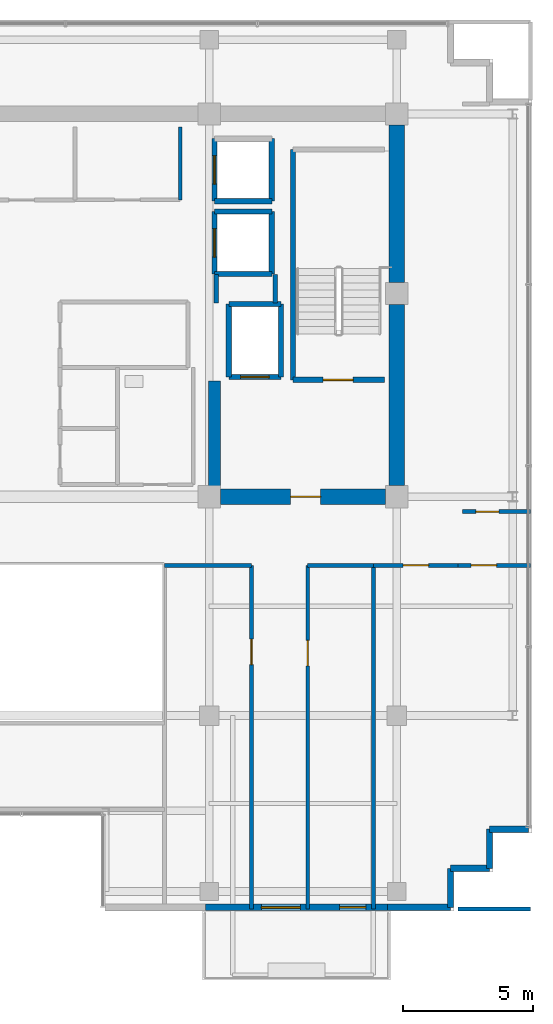
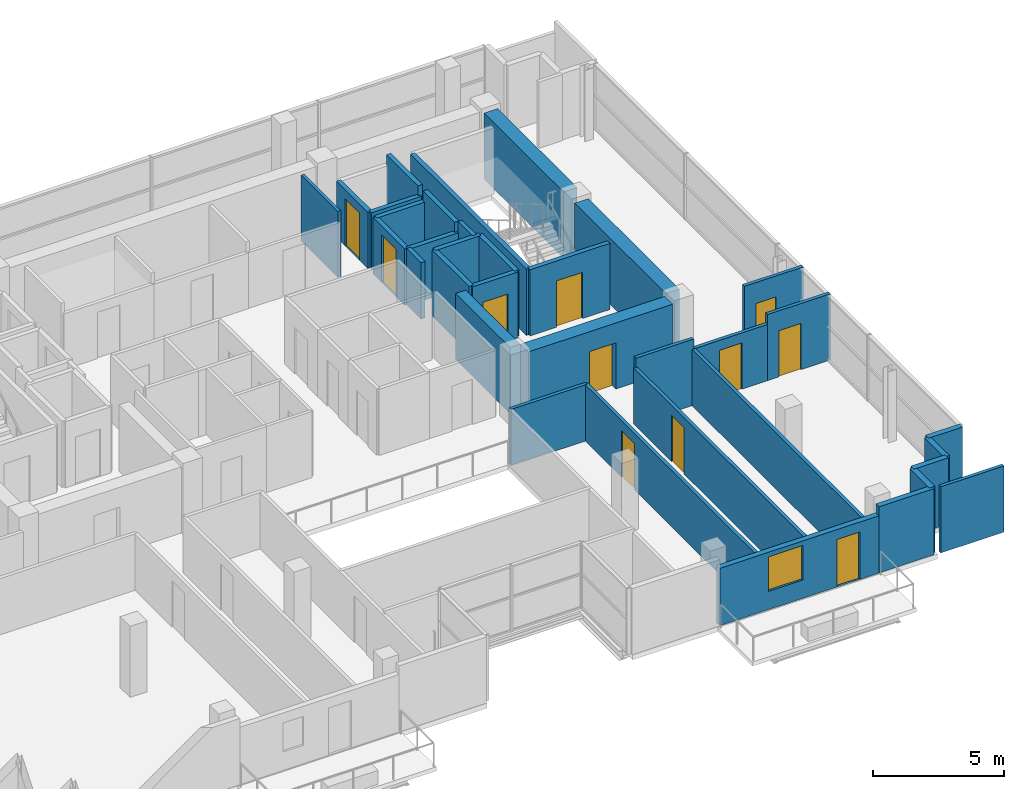
# One storey, part 17 of 22: 35 walls, 11 doors, 1 window, 12 openings.
"""IFC4 building model written with IfcOpenShell, lengths in metres."""

from ifc_helpers import new_model, si_unit, direction, frame, frame_2d, origin, place, context, subcontext, project, spatial, rectangle, extrude, source, transform, mapped, material, layer, layer_set, type_object, element, fill, save


model = new_model("IFC4")

# Units and contexts
model_context = context("Model", 3, precision=1e-05, world=origin(), true_north=direction((0.0, 1.0)))
body_context = subcontext(model_context, "Body", "Model", "MODEL_VIEW")
ifc_project = project(units=[si_unit("LENGTHUNIT", "METRE"), si_unit("AREAUNIT", "SQUARE_METRE"), si_unit("VOLUMEUNIT", "CUBIC_METRE"), si_unit("PLANEANGLEUNIT", "RADIAN"), si_unit("MASSUNIT", "GRAM", prefix="KILO")], contexts=[model_context])

# Site, building, storey
site_placement = place(None, origin())
site = spatial("IfcSite", under=ifc_project, at=site_placement, CompositionType="ELEMENT")
building_placement = place(site_placement, origin())
building = spatial("IfcBuilding", under=site, at=building_placement, Name="Zarnakvel Exchange Tower", CompositionType="ELEMENT")
storey_placement = place(building_placement, frame((0.0, 0.0, 228.699951171875)))
storey = spatial("IfcBuildingStorey", under=building, at=storey_placement, Name="L64", CompositionType="ELEMENT", Elevation=228.699951171875)

# Walls
ifc_material_1 = material(Name="Concrete C50/60", Category="concrete")
ifc_layer_1 = layer(ifc_material_1, 0.60009765625)
ifc_layer_set_1 = layer_set([ifc_layer_1], Name="Concrete C50/60")
wall_type_1 = type_object("IfcWallType", Name="CW-C5", PredefinedType="SHEAR", material=ifc_layer_set_1)
wall_1_placement = place(storey_placement, frame((14.39990234375, -0.77490234375, 0.0), z_axis=(0.0, 0.0, 1.0), x_axis=(0.0, 1.0, 0.0)))
element("IfcWall", 1, at=wall_1_placement, inside=storey, type_object=wall_type_1, Name="L64 Rear Core Shear Wall E1 (CW-C5)", PredefinedType="SHEAR", context=body_context, shape_type="SweptSolid", body=[
    extrude(rectangle(XDim=6.949951171875, YDim=0.60009765625, at=frame_2d((3.47509765625, 0.0))), origin(), (0.0, 0.0, 1.0), 3.074951171875),
])
wall_2_placement = place(storey_placement, frame((14.39990234375, 7.02490234375, 0.0), z_axis=(0.0, 0.0, 1.0), x_axis=(0.0, 1.0, 0.0)))
element("IfcWall", 2, at=wall_2_placement, inside=storey, type_object=wall_type_1, Name="L64 Rear Core Shear Wall E2 (CW-C5)", PredefinedType="SHEAR", context=body_context, shape_type="SweptSolid", body=[
    extrude(rectangle(XDim=6.050048828125, YDim=0.60009765625, at=frame_2d((3.02490234375, 0.0))), origin(), (0.0, 0.0, 1.0), 3.074951171875),
])

# Wall, opening, door
wall_3_placement = place(storey_placement, frame((13.97509765625, -1.199951171875, 0.0), z_axis=(0.0, 0.0, 1.0), x_axis=(-1.0, 0.0, 0.0)))
wall_3 = element("IfcWall", 3, at=wall_3_placement, inside=storey, type_object=wall_type_1, Name="L64 Rear Core Shear Wall SE (CW-C5)", PredefinedType="SHEAR", context=body_context, shape_type="SweptSolid", body=[
    extrude(rectangle(XDim=6.35009765625, YDim=0.60009765625, at=frame_2d((3.175048828125, 0.0))), origin(), (0.0, 0.0, 1.0), 3.074951171875),
])
opening_1_placement = place(wall_3_placement, frame((2.5, 0.0, 0.0)))
opening_1 = element("IfcOpeningElement", 4, at=opening_1_placement, cuts=wall_3, Name="Opening D-L64-04", PredefinedType="OPENING", context=body_context, shape_type="SweptSolid", body=[
    extrude(rectangle(XDim=1.14990234375, YDim=2.14990234375, at=frame_2d((0.574951171875, 1.074951171875))), frame((0.0, 0.31005859375, 0.0), z_axis=(0.0, -1.0, 0.0), x_axis=(1.0, 0.0, 0.0)), (0.0, 0.0, 1.0), 0.6201171875),
])
ifc_material_2 = material(Name="Painted Galvanised Steel S355", Category="steel")
door_type_1 = type_object("IfcDoorType", Name="DT-04", OperationType="NOTDEFINED", PredefinedType="DOOR", material=ifc_material_2)
shared_shape_1 = source(origin(), body_context, "Body", "SweptSolid", [
    extrude(rectangle(XDim=1.14990234375, YDim=2.14990234375, at=frame_2d((0.574951171875, 1.074951171875))), frame((0.0, 0.02490234375, 0.0), z_axis=(0.0, -1.0, 0.0), x_axis=(1.0, 0.0, 0.0)), (0.0, 0.0, 1.0), 0.050048828125),
])
door_1_placement = place(opening_1_placement, origin())
door_1 = element("IfcDoor", 5, at=door_1_placement, inside=storey, type_object=door_type_1, Name="L64 Firefighting Lobby East Door D-L64-04", OperationType="SINGLE_SWING_RIGHT", OverallHeight=2.14990234375, OverallWidth=1.14990234375, PredefinedType="DOOR", context=body_context, shape_type="MappedRepresentation", body=[
    mapped(shared_shape_1, transform((0.0, 0.0, 0.0), x_axis=(1.0, 0.0, 0.0), y_axis=(0.0, 1.0, 0.0), z_axis=(0.0, 0.0, 1.0), scale=1.0)),
])
fill(opening_1, door_1)

# Wall
ifc_layer_2 = layer(ifc_material_1, 0.449951171875)
ifc_layer_set_2 = layer_set([ifc_layer_2], Name="Concrete C50/60")
wall_type_2 = type_object("IfcWallType", Name="CW-C6", PredefinedType="SHEAR", material=ifc_layer_set_2)
wall_4_placement = place(storey_placement, frame((7.39990234375, -0.89990234375, 0.0), z_axis=(0.0, 0.0, 1.0), x_axis=(0.0, 1.0, 0.0)))
element("IfcWall", 6, at=wall_4_placement, inside=storey, type_object=wall_type_2, Name="L64 Rear Core Shear Wall IE (CW-C6)", PredefinedType="SHEAR", context=body_context, shape_type="SweptSolid", body=[
    extrude(rectangle(XDim=4.14990234375, YDim=0.449951171875, at=frame_2d((2.074951171875, 0.0))), origin(), (0.0, 0.0, 1.0), 3.074951171875),
])

# Wall, openings, door, window
ifc_material_3 = material(Name="Precast concrete C40/50", Category="concrete")
ifc_layer_3 = layer(ifc_material_3, 0.239990234375)
ifc_layer_set_3 = layer_set([ifc_layer_3], Name="Precast concrete C40/50")
wall_type_3 = type_object("IfcWallType", Name="EW-02", PredefinedType="SOLIDWALL", material=ifc_layer_set_3)
wall_5_placement = place(storey_placement, frame((14.050048828125, -16.9599609375, 0.0), z_axis=(0.0, 0.0, 1.0), x_axis=(-1.0, 0.0, 0.0)))
wall_5 = element("IfcWall", 7, at=wall_5_placement, inside=storey, type_object=wall_type_3, Name="L64 Exterior Precast Spandrel Wall EW-BAL-L64-SE (EW-02)", PredefinedType="SOLIDWALL", context=body_context, shape_type="SweptSolid", body=[
    extrude(rectangle(XDim=7.0, YDim=0.239990234375, at=frame_2d((3.5, 0.0))), origin(), (0.0, 0.0, 1.0), 2.6650390625),
])
opening_2_placement = place(wall_5_placement, frame((0.840087890625, 0.0, 0.0)))
opening_2 = element("IfcOpeningElement", 8, at=opening_2_placement, cuts=wall_5, Name="Opening BD-L64-02", PredefinedType="OPENING", context=body_context, shape_type="SweptSolid", body=[
    extrude(rectangle(XDim=1.0, YDim=2.199951171875, at=frame_2d((0.5, 1.10009765625))), frame((0.0, 0.1298828125, 0.0), z_axis=(0.0, -1.0, 0.0), x_axis=(1.0, 0.0, 0.0)), (0.0, 0.0, 1.0), 0.260009765625),
])
opening_3_placement = place(wall_5_placement, frame((3.35009765625, 0.0, 0.85009765625)))
opening_3 = element("IfcOpeningElement", 9, at=opening_3_placement, cuts=wall_5, Name="Opening WN-03", PredefinedType="OPENING", context=body_context, shape_type="SweptSolid", body=[
    extrude(rectangle(XDim=1.5, YDim=1.60009765625, at=frame_2d((0.75, 0.800048828125))), frame((0.0, 0.1298828125, 0.0), z_axis=(0.0, -1.0, 0.0), x_axis=(1.0, 0.0, 0.0)), (0.0, 0.0, 1.0), 0.260009765625),
])
ifc_material_4 = material(Name="Architectural Bronze Anodised Aluminium", Category="aluminium")
door_type_2 = type_object("IfcDoorType", Name="DT-09", OperationType="NOTDEFINED", PredefinedType="DOOR", material=ifc_material_4)
shared_shape_2 = source(origin(), body_context, "Body", "SweptSolid", [
    extrude(rectangle(XDim=1.0, YDim=2.199951171875, at=frame_2d((0.5, 1.10009765625))), frame((0.0, 0.02490234375, 0.0), z_axis=(0.0, -1.0, 0.0), x_axis=(1.0, 0.0, 0.0)), (0.0, 0.0, 1.0), 0.050048828125),
])
door_2_placement = place(opening_2_placement, origin())
door_2 = element("IfcDoor", 10, at=door_2_placement, inside=storey, type_object=door_type_2, Name="L64 Planted Loggia Balcony Door BD-L64-02", OperationType="SINGLE_SWING_LEFT", OverallHeight=2.199951171875, OverallWidth=1.0, PredefinedType="DOOR", context=body_context, shape_type="MappedRepresentation", body=[
    mapped(shared_shape_2, transform((0.0, 0.0, 0.0), x_axis=(1.0, 0.0, 0.0), y_axis=(0.0, 1.0, 0.0), z_axis=(0.0, 0.0, 1.0), scale=1.0)),
])
fill(opening_2, door_2)
ifc_material_5 = material(Name="Double Low-E Laminated Vision Glass", Category="glass")
window_type = type_object("IfcWindowType", Name="WN-03", PartitioningType="SINGLE_PANEL", PredefinedType="WINDOW", material=ifc_material_5)
shared_shape_3 = source(origin(), body_context, "Body", "SweptSolid", [
    extrude(rectangle(XDim=1.5, YDim=1.60009765625, at=frame_2d((0.75, 0.800048828125))), frame((0.0, 0.030029296875, 0.0), z_axis=(0.0, -1.0, 0.0), x_axis=(1.0, 0.0, 0.0)), (0.0, 0.0, 1.0), 0.06005859375),
])
window_placement = place(opening_3_placement, origin())
window = element("IfcWindow", 11, at=window_placement, inside=storey, type_object=window_type, Name="L64 Loggia Daylight Window (WN-03)", OverallHeight=1.60009765625, OverallWidth=1.5, PartitioningType="SINGLE_PANEL", PredefinedType="WINDOW", context=body_context, shape_type="MappedRepresentation", body=[
    mapped(shared_shape_3, transform((0.0, 0.0, 0.0), x_axis=(1.0, 0.0, 0.0), y_axis=(0.0, 1.0, 0.0), z_axis=(0.0, 0.0, 1.0), scale=1.0)),
])
fill(opening_3, window)

# Walls
for number, where, z_axis, x_axis, name in (
    (12, (17.9599609375, -13.9599609375, 0.0), (0.0, 0.0, 1.0), (1.0, 0.0, 0.0), "L64 Exterior Precast Spandrel Wall EWC-L64-11 (EW-02)"),
    (13, (17.9599609375, -15.4599609375, 0.0), (0.0, 0.0, 1.0), (0.0, 1.0, 0.0), "L64 Exterior Precast Spandrel Wall EWC-L64-12 (EW-02)"),
    (14, (16.4599609375, -15.4599609375, 0.0), (0.0, 0.0, 1.0), (1.0, 0.0, 0.0), "L64 Exterior Precast Spandrel Wall EWC-L64-13 (EW-02)"),
    (15, (16.4599609375, -16.9599609375, 0.0), (0.0, 0.0, 1.0), (0.0, 1.0, 0.0), "L64 Exterior Precast Spandrel Wall EWC-L64-14 (EW-02)"),
):
    element("IfcWall", number, at=place(storey_placement, frame(where, z_axis=z_axis, x_axis=x_axis)), inside=storey, type_object=wall_type_3, Name=name, PredefinedType="SOLIDWALL", context=body_context, shape_type="SweptSolid", body=[
        extrude(rectangle(XDim=1.5, YDim=0.239990234375, at=frame_2d((0.75, 0.0))), origin(), (0.0, 0.0, 1.0), 3.074951171875),
    ])
wall_6_placement = place(storey_placement, frame((14.050048828125, -16.9599609375, 0.0), z_axis=(0.0, 0.0, 1.0), x_axis=(1.0, 0.0, 0.0)))
element("IfcWall", 16, at=wall_6_placement, inside=storey, type_object=wall_type_3, Name="L64 Exterior Precast Spandrel Wall EWC-L64-15 (EW-02)", PredefinedType="SOLIDWALL", context=body_context, shape_type="SweptSolid", body=[
    extrude(rectangle(XDim=2.409912109375, YDim=0.239990234375, at=frame_2d((1.205078125, 0.0))), origin(), (0.0, 0.0, 1.0), 3.074951171875),
])
ifc_material_6 = material(Name="Fire-Rated Gypsum Stud Partition", Category="gypsum")
ifc_layer_4 = layer(ifc_material_6, 0.14990234375)
ifc_layer_set_4 = layer_set([ifc_layer_4], Name="Fire-Rated Gypsum Stud Partition")
wall_type_4 = type_object("IfcWallType", Name="PT-01", PredefinedType="PARTITIONING", material=ifc_layer_set_4)
wall_7_placement = place(storey_placement, frame((10.97998046875, -3.830078125, 0.0), z_axis=(0.0, 0.0, 1.0), x_axis=(1.0, 0.0, 0.0)))
element("IfcWall", 17, at=wall_7_placement, inside=storey, type_object=wall_type_4, Name="L64 Partition Wall PWALL-L64-049 (PT-01)", PredefinedType="PARTITIONING", context=body_context, shape_type="SweptSolid", body=[
    extrude(rectangle(XDim=2.533447265625, YDim=0.14990234375, at=frame_2d((1.2666015625, 0.0))), origin(), (0.0, 0.0, 1.0), 3.074951171875),
])

# Wall, opening, door
wall_8_placement = place(storey_placement, frame((10.97998046875, -17.030029296875, 0.0), z_axis=(0.0, 0.0, 1.0), x_axis=(0.0, 1.0, 0.0)))
wall_8 = element("IfcWall", 18, at=wall_8_placement, inside=storey, type_object=wall_type_4, Name="L64 Partition Wall PWALL-L64-050 (PT-01)", PredefinedType="PARTITIONING", context=body_context, shape_type="SweptSolid", body=[
    extrude(rectangle(XDim=13.199951171875, YDim=0.14990234375, at=frame_2d((6.60009765625, 0.0))), origin(), (0.0, 0.0, 1.0), 2.614990234375),
])
opening_4_placement = place(wall_8_placement, frame((9.340087890625, 0.0, 0.0)))
opening_4 = element("IfcOpeningElement", 19, at=opening_4_placement, cuts=wall_8, Name="Opening D-L64-18", PredefinedType="OPENING", context=body_context, shape_type="SweptSolid", body=[
    extrude(rectangle(XDim=0.97998046875, YDim=2.14990234375, at=frame_2d((0.489990234375, 1.074951171875))), frame((0.0, 0.0849609375, 0.0), z_axis=(0.0, -1.0, 0.0), x_axis=(1.0, 0.0, 0.0)), (0.0, 0.0, 1.0), 0.169921875),
])
ifc_material_7 = material(Name="Timber Acoustic Veneer", Category="wood")
door_type_3 = type_object("IfcDoorType", Name="DT-05", OperationType="NOTDEFINED", PredefinedType="DOOR", material=ifc_material_7)
shared_shape_4 = source(origin(), body_context, "Body", "SweptSolid", [
    extrude(rectangle(XDim=0.97998046875, YDim=2.14990234375, at=frame_2d((0.489990234375, 1.074951171875))), frame((0.0, 0.02490234375, 0.0), z_axis=(0.0, -1.0, 0.0), x_axis=(1.0, 0.0, 0.0)), (0.0, 0.0, 1.0), 0.050048828125),
])
door_3_placement = place(opening_4_placement, origin())
door_3 = element("IfcDoor", 20, at=door_3_placement, inside=storey, type_object=door_type_3, Name="L64 Conference Room Door D-L64-18", OperationType="SINGLE_SWING_RIGHT", OverallHeight=2.14990234375, OverallWidth=0.97998046875, PredefinedType="DOOR", context=body_context, shape_type="MappedRepresentation", body=[
    mapped(shared_shape_4, transform((0.0, 0.0, 0.0), x_axis=(1.0, 0.0, 0.0), y_axis=(0.0, 1.0, 0.0), z_axis=(0.0, 0.0, 1.0), scale=1.0)),
])
fill(opening_4, door_3)

# Wall
wall_9_placement = place(storey_placement, frame((13.513427734375, -3.830078125, 0.0), z_axis=(0.0, 0.0, 1.0), x_axis=(0.0, -1.0, 0.0)))
element("IfcWall", 21, at=wall_9_placement, inside=storey, type_object=wall_type_4, Name="L64 Partition Wall PWALL-L64-051 (PT-01)", PredefinedType="PARTITIONING", context=body_context, shape_type="SweptSolid", body=[
    extrude(rectangle(XDim=13.199951171875, YDim=0.14990234375, at=frame_2d((6.60009765625, 0.0))), origin(), (0.0, 0.0, 1.0), 2.614990234375),
])

# Wall, opening, door
wall_10_placement = place(storey_placement, frame((13.513427734375, -3.830078125, 0.0), z_axis=(0.0, 0.0, 1.0), x_axis=(1.0, 0.0, 0.0)))
wall_10 = element("IfcWall", 22, at=wall_10_placement, inside=storey, type_object=wall_type_4, Name="L64 Partition Wall PWALL-L64-053 (PT-01)", PredefinedType="PARTITIONING", context=body_context, shape_type="SweptSolid", body=[
    extrude(rectangle(XDim=3.24560546875, YDim=0.14990234375, at=frame_2d((1.622802734375, 0.0))), origin(), (0.0, 0.0, 1.0), 2.614990234375),
])
opening_5_placement = place(wall_10_placement, frame((1.132568359375, 0.0, 0.0)))
opening_5 = element("IfcOpeningElement", 23, at=opening_5_placement, cuts=wall_10, Name="Opening D-L64-19", PredefinedType="OPENING", context=body_context, shape_type="SweptSolid", body=[
    extrude(rectangle(XDim=0.97998046875, YDim=2.14990234375, at=frame_2d((0.489990234375, 1.074951171875))), frame((0.0, 0.0849609375, 0.0), z_axis=(0.0, -1.0, 0.0), x_axis=(1.0, 0.0, 0.0)), (0.0, 0.0, 1.0), 0.169921875),
])
door_4_placement = place(opening_5_placement, origin())
door_4 = element("IfcDoor", 24, at=door_4_placement, inside=storey, type_object=door_type_3, Name="L64 Executive Suite Door D-L64-19", OperationType="SINGLE_SWING_LEFT", OverallHeight=2.14990234375, OverallWidth=0.97998046875, PredefinedType="DOOR", context=body_context, shape_type="MappedRepresentation", body=[
    mapped(shared_shape_4, transform((0.0, 0.0, 0.0), x_axis=(1.0, 0.0, 0.0), y_axis=(0.0, 1.0, 0.0), z_axis=(0.0, 0.0, 1.0), scale=1.0)),
])
fill(opening_5, door_4)

# Wall
wall_11_placement = place(storey_placement, frame((19.530029296875, -17.030029296875, 0.0), z_axis=(0.0, 0.0, 1.0), x_axis=(-1.0, 0.0, 0.0)))
element("IfcWall", 25, at=wall_11_placement, inside=storey, type_object=wall_type_4, Name="L64 Partition Wall PWALL-L64-054 (PT-01)", PredefinedType="PARTITIONING", context=body_context, shape_type="SweptSolid", body=[
    extrude(rectangle(XDim=2.77099609375, YDim=0.14990234375, at=frame_2d((1.385498046875, 0.0))), origin(), (0.0, 0.0, 1.0), 3.074951171875),
])

# Wall, opening, door
wall_12_placement = place(storey_placement, frame((16.759033203125, -3.830078125, 0.0), z_axis=(0.0, 0.0, 1.0), x_axis=(1.0, 0.0, 0.0)))
wall_12 = element("IfcWall", 26, at=wall_12_placement, inside=storey, type_object=wall_type_4, Name="L64 Partition Wall PWALL-L64-055 (PT-01)", PredefinedType="PARTITIONING", context=body_context, shape_type="SweptSolid", body=[
    extrude(rectangle(XDim=2.77099609375, YDim=0.14990234375, at=frame_2d((1.385498046875, 0.0))), origin(), (0.0, 0.0, 1.0), 3.074951171875),
])
opening_6_placement = place(wall_12_placement, frame((0.489990234375, 0.0, 0.0)))
opening_6 = element("IfcOpeningElement", 27, at=opening_6_placement, cuts=wall_12, Name="Opening D-L64-20", PredefinedType="OPENING", context=body_context, shape_type="SweptSolid", body=[
    extrude(rectangle(XDim=0.97998046875, YDim=2.14990234375, at=frame_2d((0.489990234375, 1.074951171875))), frame((0.0, 0.0849609375, 0.0), z_axis=(0.0, -1.0, 0.0), x_axis=(1.0, 0.0, 0.0)), (0.0, 0.0, 1.0), 0.169921875),
])
door_5_placement = place(opening_6_placement, origin())
door_5 = element("IfcDoor", 28, at=door_5_placement, inside=storey, type_object=door_type_3, Name="L64 Staff Pantry Door D-L64-20", OperationType="SINGLE_SWING_RIGHT", OverallHeight=2.14990234375, OverallWidth=0.97998046875, PredefinedType="DOOR", context=body_context, shape_type="MappedRepresentation", body=[
    mapped(shared_shape_4, transform((0.0, 0.0, 0.0), x_axis=(1.0, 0.0, 0.0), y_axis=(0.0, 1.0, 0.0), z_axis=(0.0, 0.0, 1.0), scale=1.0)),
])
fill(opening_6, door_5)

# Wall
wall_13_placement = place(storey_placement, frame((5.47998046875, -3.830078125, 0.0), z_axis=(0.0, 0.0, 1.0), x_axis=(1.0, 0.0, 0.0)))
element("IfcWall", 29, at=wall_13_placement, inside=storey, type_object=wall_type_4, Name="L64 Partition Wall PWALL-L64-061 (PT-01)", PredefinedType="PARTITIONING", context=body_context, shape_type="SweptSolid", body=[
    extrude(rectangle(XDim=3.340087890625, YDim=0.14990234375, at=frame_2d((1.669921875, 0.0))), origin(), (0.0, 0.0, 1.0), 2.614990234375),
])

# Wall, opening, door
wall_14_placement = place(storey_placement, frame((8.820068359375, -3.830078125, 0.0), z_axis=(0.0, 0.0, 1.0), x_axis=(0.0, -1.0, 0.0)))
wall_14 = element("IfcWall", 30, at=wall_14_placement, inside=storey, type_object=wall_type_4, Name="L64 Partition Wall PWALL-L64-063 (PT-01)", PredefinedType="PARTITIONING", context=body_context, shape_type="SweptSolid", body=[
    extrude(rectangle(XDim=13.199951171875, YDim=0.14990234375, at=frame_2d((6.60009765625, 0.0))), origin(), (0.0, 0.0, 1.0), 2.614990234375),
])
opening_7_placement = place(wall_14_placement, frame((2.8349609375, 0.0, 0.0)))
opening_7 = element("IfcOpeningElement", 31, at=opening_7_placement, cuts=wall_14, Name="Opening D-L64-22", PredefinedType="OPENING", context=body_context, shape_type="SweptSolid", body=[
    extrude(rectangle(XDim=0.97998046875, YDim=2.14990234375, at=frame_2d((0.489990234375, 1.074951171875))), frame((0.0, 0.0849609375, 0.0), z_axis=(0.0, -1.0, 0.0), x_axis=(1.0, 0.0, 0.0)), (0.0, 0.0, 1.0), 0.169921875),
])
door_6_placement = place(opening_7_placement, origin())
door_6 = element("IfcDoor", 32, at=door_6_placement, inside=storey, type_object=door_type_3, Name="L64 Compliance Office Door D-L64-22", OperationType="SINGLE_SWING_RIGHT", OverallHeight=2.14990234375, OverallWidth=0.97998046875, PredefinedType="DOOR", context=body_context, shape_type="MappedRepresentation", body=[
    mapped(shared_shape_4, transform((0.0, 0.0, 0.0), x_axis=(1.0, 0.0, 0.0), y_axis=(0.0, 1.0, 0.0), z_axis=(0.0, 0.0, 1.0), scale=1.0)),
])
fill(opening_7, door_6)

wall_15_placement = place(storey_placement, frame((19.530029296875, -1.77001953125, 0.0), z_axis=(0.0, 0.0, 1.0), x_axis=(-1.0, 0.0, 0.0)))
wall_15 = element("IfcWall", 33, at=wall_15_placement, inside=storey, type_object=wall_type_4, Name="L64 Partition Wall PWALL-L64-068 (PT-01)", PredefinedType="PARTITIONING", context=body_context, shape_type="SweptSolid", body=[
    extrude(rectangle(XDim=2.60009765625, YDim=0.14990234375, at=frame_2d((1.300048828125, 0.0))), origin(), (0.0, 0.0, 1.0), 3.074951171875),
])
opening_8_placement = place(wall_15_placement, frame((1.2099609375, 0.0, 0.0)))
opening_8 = element("IfcOpeningElement", 34, at=opening_8_placement, cuts=wall_15, Name="Opening D-L64-26", PredefinedType="OPENING", context=body_context, shape_type="SweptSolid", body=[
    extrude(rectangle(XDim=0.8798828125, YDim=2.10009765625, at=frame_2d((0.43994140625, 1.050048828125))), frame((0.0, 0.0849609375, 0.0), z_axis=(0.0, -1.0, 0.0), x_axis=(1.0, 0.0, 0.0)), (0.0, 0.0, 1.0), 0.169921875),
])
door_type_4 = type_object("IfcDoorType", Name="DT-08", OperationType="NOTDEFINED", PredefinedType="DOOR", material=ifc_material_2)
shared_shape_5 = source(origin(), body_context, "Body", "SweptSolid", [
    extrude(rectangle(XDim=0.8798828125, YDim=2.10009765625, at=frame_2d((0.43994140625, 1.050048828125))), frame((0.0, 0.02490234375, 0.0), z_axis=(0.0, -1.0, 0.0), x_axis=(1.0, 0.0, 0.0)), (0.0, 0.0, 1.0), 0.050048828125),
])
door_7_placement = place(opening_8_placement, origin())
door_7 = element("IfcDoor", 35, at=door_7_placement, inside=storey, type_object=door_type_4, Name="L64 Staff Pantry Door D-L64-26", OperationType="SINGLE_SWING_RIGHT", OverallHeight=2.10009765625, OverallWidth=0.8798828125, PredefinedType="DOOR", context=body_context, shape_type="MappedRepresentation", body=[
    mapped(shared_shape_5, transform((0.0, 0.0, 0.0), x_axis=(1.0, 0.0, 0.0), y_axis=(0.0, 1.0, 0.0), z_axis=(0.0, 0.0, 1.0), scale=1.0)),
])
fill(opening_8, door_7)

# Walls
ifc_layer_5 = layer(ifc_material_6, 0.179931640625)
ifc_layer_set_5 = layer_set([ifc_layer_5], Name="Fire-Rated Gypsum Stud Partition")
wall_type_5 = type_object("IfcWallType", Name="PT-02", PredefinedType="PARTITIONING", material=ifc_layer_set_5)
wall_16_placement = place(storey_placement, frame((7.469970703125, 6.239990234375, 0.0), z_axis=(0.0, 0.0, 1.0), x_axis=(0.0, 1.0, 0.0)))
element("IfcWall", 36, at=wall_16_placement, inside=storey, type_object=wall_type_5, Name="L64 Partition Wall PWALL-L64-009 (PT-02)", PredefinedType="PARTITIONING", context=body_context, shape_type="SweptSolid", body=[
    extrude(rectangle(XDim=1.090087890625, YDim=0.179931640625, at=frame_2d((0.544921875, 0.0))), origin(), (0.0, 0.0, 1.0), 2.614990234375),
])
wall_17_placement = place(storey_placement, frame((9.72998046875, 7.330078125, 0.0), z_axis=(0.0, 0.0, 1.0), x_axis=(0.0, -1.0, 0.0)))
element("IfcWall", 37, at=wall_17_placement, inside=storey, type_object=wall_type_5, Name="L64 Partition Wall PWALL-L64-010 (PT-02)", PredefinedType="PARTITIONING", context=body_context, shape_type="SweptSolid", body=[
    extrude(rectangle(XDim=1.090087890625, YDim=0.179931640625, at=frame_2d((0.544921875, 0.0))), origin(), (0.0, 0.0, 1.0), 3.074951171875),
])
ifc_material_8 = material(Name="Moisture-Resistant Tile-Faced Partition", Category="gypsum")
ifc_layer_6 = layer(ifc_material_8, 0.135009765625)
ifc_layer_set_6 = layer_set([ifc_layer_6], Name="Moisture-Resistant Tile-Faced Partition")
wall_type_6 = type_object("IfcWallType", Name="PT-03", PredefinedType="PARTITIONING", material=ifc_layer_set_6)
wall_18_placement = place(storey_placement, frame((6.080078125, 13.0, 0.0), z_axis=(0.0, 0.0, 1.0), x_axis=(0.0, -1.0, 0.0)))
element("IfcWall", 38, at=wall_18_placement, inside=storey, type_object=wall_type_6, Name="L64 Partition Wall PWALL-L64-017 (PT-03)", PredefinedType="PARTITIONING", context=body_context, shape_type="SweptSolid", body=[
    extrude(rectangle(XDim=2.800048828125, YDim=0.135009765625, at=frame_2d((1.39990234375, 0.0))), origin(), (0.0, 0.0, 1.0), 3.074951171875),
])

# Wall, opening, door
ifc_material_9 = material(Name="Concrete C40/50", Category="concrete")
ifc_layer_7 = layer(ifc_material_9, 0.199951171875)
ifc_layer_set_7 = layer_set([ifc_layer_7], Name="Concrete C40/50")
wall_type_7 = type_object("IfcWallType", Name="SW-01", PredefinedType="SOLIDWALL", material=ifc_layer_set_7)
wall_19_placement = place(storey_placement, frame((9.949951171875, 3.39990234375, 0.0), z_axis=(0.0, 0.0, 1.0), x_axis=(-1.0, 0.0, 0.0)))
wall_19 = element("IfcWall", 39, at=wall_19_placement, inside=storey, type_object=wall_type_7, Name="L64 FL-02 Hoistway Wall South", PredefinedType="SOLIDWALL", context=body_context, shape_type="SweptSolid", body=[
    extrude(rectangle(XDim=2.0, YDim=0.199951171875, at=frame_2d((1.0, 0.0))), origin(), (0.0, 0.0, 1.0), 3.074951171875),
])
opening_9_placement = place(wall_19_placement, frame((0.449951171875, 0.0, 0.0)))
opening_9 = element("IfcOpeningElement", 40, at=opening_9_placement, cuts=wall_19, Name="Opening LD-FL-02-L64", PredefinedType="OPENING", context=body_context, shape_type="SweptSolid", body=[
    extrude(rectangle(XDim=1.10009765625, YDim=2.199951171875, at=frame_2d((0.550048828125, 1.10009765625))), frame((0.0, 0.10986328125, 0.0), z_axis=(0.0, -1.0, 0.0), x_axis=(1.0, 0.0, 0.0)), (0.0, 0.0, 1.0), 0.219970703125),
])
ifc_material_10 = material(Name="Brushed Stainless Steel", Category="steel")
door_type_5 = type_object("IfcDoorType", Name="LDT-01", OperationType="NOTDEFINED", PredefinedType="DOOR", material=ifc_material_10)
shared_shape_6 = source(origin(), body_context, "Body", "SweptSolid", [
    extrude(rectangle(XDim=1.10009765625, YDim=2.199951171875, at=frame_2d((0.550048828125, 1.10009765625))), frame((0.0, 0.02490234375, 0.0), z_axis=(0.0, -1.0, 0.0), x_axis=(1.0, 0.0, 0.0)), (0.0, 0.0, 1.0), 0.050048828125),
])
door_8_placement = place(opening_9_placement, origin())
door_8 = element("IfcDoor", 41, at=door_8_placement, inside=storey, type_object=door_type_5, Name="L64 FL-02 Lift Landing Door LD-FL-02-L64", OperationType="DOUBLE_DOOR_SLIDING", OverallHeight=2.199951171875, OverallWidth=1.10009765625, PredefinedType="DOOR", context=body_context, shape_type="MappedRepresentation", body=[
    mapped(shared_shape_6, transform((0.0, 0.0, 0.0), x_axis=(1.0, 0.0, 0.0), y_axis=(0.0, 1.0, 0.0), z_axis=(0.0, 0.0, 1.0), scale=1.0)),
])
fill(opening_9, door_8)

# Walls
wall_20_placement = place(storey_placement, frame((7.949951171875, 6.199951171875, 0.0), z_axis=(0.0, 0.0, 1.0), x_axis=(1.0, 0.0, 0.0)))
element("IfcWall", 42, at=wall_20_placement, inside=storey, type_object=wall_type_7, Name="L64 FL-02 Hoistway Wall North", PredefinedType="SOLIDWALL", context=body_context, shape_type="SweptSolid", body=[
    extrude(rectangle(XDim=2.0, YDim=0.199951171875, at=frame_2d((1.0, 0.0))), origin(), (0.0, 0.0, 1.0), 3.074951171875),
])
for number, where, z_axis, x_axis, name in (
    (43, (7.949951171875, 3.39990234375, 0.0), (0.0, 0.0, 1.0), (0.0, 1.0, 0.0), "L64 FL-02 Hoistway Wall West"),
    (44, (9.949951171875, 6.199951171875, 0.0), (0.0, 0.0, 1.0), (0.0, -1.0, 0.0), "L64 FL-02 Hoistway Wall East"),
):
    element("IfcWall", number, at=place(storey_placement, frame(where, z_axis=z_axis, x_axis=x_axis)), inside=storey, type_object=wall_type_7, Name=name, PredefinedType="SOLIDWALL", context=body_context, shape_type="SweptSolid", body=[
        extrude(rectangle(XDim=2.800048828125, YDim=0.199951171875, at=frame_2d((1.39990234375, 0.0))), origin(), (0.0, 0.0, 1.0), 3.074951171875),
    ])
for number, where, z_axis, x_axis, name in (
    (45, (9.60009765625, 7.35009765625, 0.0), (0.0, 0.0, 1.0), (-1.0, 0.0, 0.0), "L64 PL-11 Hoistway Wall South"),
    (46, (7.39990234375, 9.75, 0.0), (0.0, 0.0, 1.0), (1.0, 0.0, 0.0), "L64 PL-11 Hoistway Wall North"),
):
    element("IfcWall", number, at=place(storey_placement, frame(where, z_axis=z_axis, x_axis=x_axis)), inside=storey, type_object=wall_type_7, Name=name, PredefinedType="SOLIDWALL", context=body_context, shape_type="SweptSolid", body=[
        extrude(rectangle(XDim=2.2001953125, YDim=0.199951171875, at=frame_2d((1.10009765625, 0.0))), origin(), (0.0, 0.0, 1.0), 2.614990234375),
    ])

# Wall, opening, door
wall_21_placement = place(storey_placement, frame((7.39990234375, 7.35009765625, 0.0), z_axis=(0.0, 0.0, 1.0), x_axis=(0.0, 1.0, 0.0)))
wall_21 = element("IfcWall", 47, at=wall_21_placement, inside=storey, type_object=wall_type_7, Name="L64 PL-11 Hoistway Wall West", PredefinedType="SOLIDWALL", context=body_context, shape_type="SweptSolid", body=[
    extrude(rectangle(XDim=2.39990234375, YDim=0.199951171875, at=frame_2d((1.199951171875, 0.0))), origin(), (0.0, 0.0, 1.0), 2.614990234375),
])
opening_10_placement = place(wall_21_placement, frame((0.64990234375, 0.0, 0.0)))
opening_10 = element("IfcOpeningElement", 48, at=opening_10_placement, cuts=wall_21, Name="Opening LD-PL-11-L64", PredefinedType="OPENING", context=body_context, shape_type="SweptSolid", body=[
    extrude(rectangle(XDim=1.10009765625, YDim=2.199951171875, at=frame_2d((0.550048828125, 1.10009765625))), frame((0.0, 0.10986328125, 0.0), z_axis=(0.0, -1.0, 0.0), x_axis=(1.0, 0.0, 0.0)), (0.0, 0.0, 1.0), 0.219970703125),
])
door_type_6 = type_object("IfcDoorType", Name="LDT-02", OperationType="NOTDEFINED", PredefinedType="DOOR", material=ifc_material_4)
door_9_placement = place(opening_10_placement, origin())
door_9 = element("IfcDoor", 49, at=door_9_placement, inside=storey, type_object=door_type_6, Name="L64 PL-11 Lift Landing Door LD-PL-11-L64", OperationType="DOUBLE_DOOR_SLIDING", OverallHeight=2.199951171875, OverallWidth=1.10009765625, PredefinedType="DOOR", context=body_context, shape_type="MappedRepresentation", body=[
    mapped(shared_shape_6, transform((0.0, 0.0, 0.0), x_axis=(1.0, 0.0, 0.0), y_axis=(0.0, 1.0, 0.0), z_axis=(0.0, 0.0, 1.0), scale=1.0)),
])
fill(opening_10, door_9)

# Walls
wall_22_placement = place(storey_placement, frame((9.60009765625, 9.75, 0.0), z_axis=(0.0, 0.0, 1.0), x_axis=(0.0, -1.0, 0.0)))
element("IfcWall", 50, at=wall_22_placement, inside=storey, type_object=wall_type_7, Name="L64 PL-11 Hoistway Wall East", PredefinedType="SOLIDWALL", context=body_context, shape_type="SweptSolid", body=[
    extrude(rectangle(XDim=2.39990234375, YDim=0.199951171875, at=frame_2d((1.199951171875, 0.0))), origin(), (0.0, 0.0, 1.0), 3.074951171875),
])
wall_23_placement = place(storey_placement, frame((9.60009765625, 10.14990234375, 0.0), z_axis=(0.0, 0.0, 1.0), x_axis=(-1.0, 0.0, 0.0)))
element("IfcWall", 51, at=wall_23_placement, inside=storey, type_object=wall_type_7, Name="L64 PL-12 Hoistway Wall South", PredefinedType="SOLIDWALL", context=body_context, shape_type="SweptSolid", body=[
    extrude(rectangle(XDim=2.2001953125, YDim=0.199951171875, at=frame_2d((1.10009765625, 0.0))), origin(), (0.0, 0.0, 1.0), 2.614990234375),
])

# Wall, opening, door
wall_24_placement = place(storey_placement, frame((7.39990234375, 10.14990234375, 0.0), z_axis=(0.0, 0.0, 1.0), x_axis=(0.0, 1.0, 0.0)))
wall_24 = element("IfcWall", 52, at=wall_24_placement, inside=storey, type_object=wall_type_7, Name="L64 PL-12 Hoistway Wall West", PredefinedType="SOLIDWALL", context=body_context, shape_type="SweptSolid", body=[
    extrude(rectangle(XDim=2.400146484375, YDim=0.199951171875, at=frame_2d((1.2001953125, 0.0))), origin(), (0.0, 0.0, 1.0), 2.614990234375),
])
opening_11_placement = place(wall_24_placement, frame((0.64990234375, 0.0, 0.0)))
opening_11 = element("IfcOpeningElement", 53, at=opening_11_placement, cuts=wall_24, Name="Opening LD-PL-12-L64", PredefinedType="OPENING", context=body_context, shape_type="SweptSolid", body=[
    extrude(rectangle(XDim=1.10009765625, YDim=2.199951171875, at=frame_2d((0.550048828125, 1.10009765625))), frame((0.0, 0.10986328125, 0.0), z_axis=(0.0, -1.0, 0.0), x_axis=(1.0, 0.0, 0.0)), (0.0, 0.0, 1.0), 0.219970703125),
])
door_10_placement = place(opening_11_placement, origin())
door_10 = element("IfcDoor", 54, at=door_10_placement, inside=storey, type_object=door_type_6, Name="L64 PL-12 Lift Landing Door LD-PL-12-L64", OperationType="DOUBLE_DOOR_SLIDING", OverallHeight=2.199951171875, OverallWidth=1.10009765625, PredefinedType="DOOR", context=body_context, shape_type="MappedRepresentation", body=[
    mapped(shared_shape_6, transform((0.0, 0.0, 0.0), x_axis=(1.0, 0.0, 0.0), y_axis=(0.0, 1.0, 0.0), z_axis=(0.0, 0.0, 1.0), scale=1.0)),
])
fill(opening_11, door_10)

# Wall
wall_25_placement = place(storey_placement, frame((9.60009765625, 12.550048828125, 0.0), z_axis=(0.0, 0.0, 1.0), x_axis=(0.0, -1.0, 0.0)))
element("IfcWall", 55, at=wall_25_placement, inside=storey, type_object=wall_type_7, Name="L64 PL-12 Hoistway Wall East", PredefinedType="SOLIDWALL", context=body_context, shape_type="SweptSolid", body=[
    extrude(rectangle(XDim=2.400146484375, YDim=0.199951171875, at=frame_2d((1.2001953125, 0.0))), origin(), (0.0, 0.0, 1.0), 3.074951171875),
])

# Wall, opening, door
ifc_layer_8 = layer(ifc_material_9, 0.199951171875)
ifc_layer_set_8 = layer_set([ifc_layer_8], Name="Concrete C40/50")
wall_type_8 = type_object("IfcWallType", Name="SW-02", PredefinedType="SOLIDWALL", material=ifc_layer_set_8)
wall_26_placement = place(storey_placement, frame((13.929931640625, 3.2900390625, 0.0), z_axis=(0.0, 0.0, 1.0), x_axis=(-1.0, 0.0, 0.0)))
wall_26 = element("IfcWall", 56, at=wall_26_placement, inside=storey, type_object=wall_type_8, Name="L64 Stairwell Core Wall PWALL-L64-004 (SW-02)", PredefinedType="SOLIDWALL", context=body_context, shape_type="SweptSolid", body=[
    extrude(rectangle(XDim=3.52001953125, YDim=0.199951171875, at=frame_2d((1.760009765625, 0.0))), origin(), (0.0, 0.0, 1.0), 3.074951171875),
])
opening_12_placement = place(wall_26_placement, frame((1.205078125, 0.0, 0.0)))
opening_12 = element("IfcOpeningElement", 57, at=opening_12_placement, cuts=wall_26, Name="Opening D-L64-02", PredefinedType="OPENING", context=body_context, shape_type="SweptSolid", body=[
    extrude(rectangle(XDim=1.14990234375, YDim=2.14990234375, at=frame_2d((0.574951171875, 1.074951171875))), frame((0.0, 0.10986328125, 0.0), z_axis=(0.0, -1.0, 0.0), x_axis=(1.0, 0.0, 0.0)), (0.0, 0.0, 1.0), 0.219970703125),
])
door_11_placement = place(opening_12_placement, origin())
door_11 = element("IfcDoor", 58, at=door_11_placement, inside=storey, type_object=door_type_1, Name="L64 Stairwell ST-02 Door D-L64-02", OperationType="SINGLE_SWING_RIGHT", OverallHeight=2.14990234375, OverallWidth=1.14990234375, PredefinedType="DOOR", context=body_context, shape_type="MappedRepresentation", body=[
    mapped(shared_shape_1, transform((0.0, 0.0, 0.0), x_axis=(1.0, 0.0, 0.0), y_axis=(0.0, 1.0, 0.0), z_axis=(0.0, 0.0, 1.0), scale=1.0)),
])
fill(opening_12, door_11)

# Wall
wall_27_placement = place(storey_placement, frame((10.409912109375, 3.2900390625, 0.0), z_axis=(0.0, 0.0, 1.0), x_axis=(0.0, 1.0, 0.0)))
element("IfcWall", 59, at=wall_27_placement, inside=storey, type_object=wall_type_8, Name="L64 Stairwell Core Wall PWALL-L64-006 (SW-02)", PredefinedType="SOLIDWALL", context=body_context, shape_type="SweptSolid", body=[
    extrude(rectangle(XDim=8.83984375, YDim=0.199951171875, at=frame_2d((4.419921875, 0.0))), origin(), (0.0, 0.0, 1.0), 3.074951171875),
])

save(model, "model.ifc")
